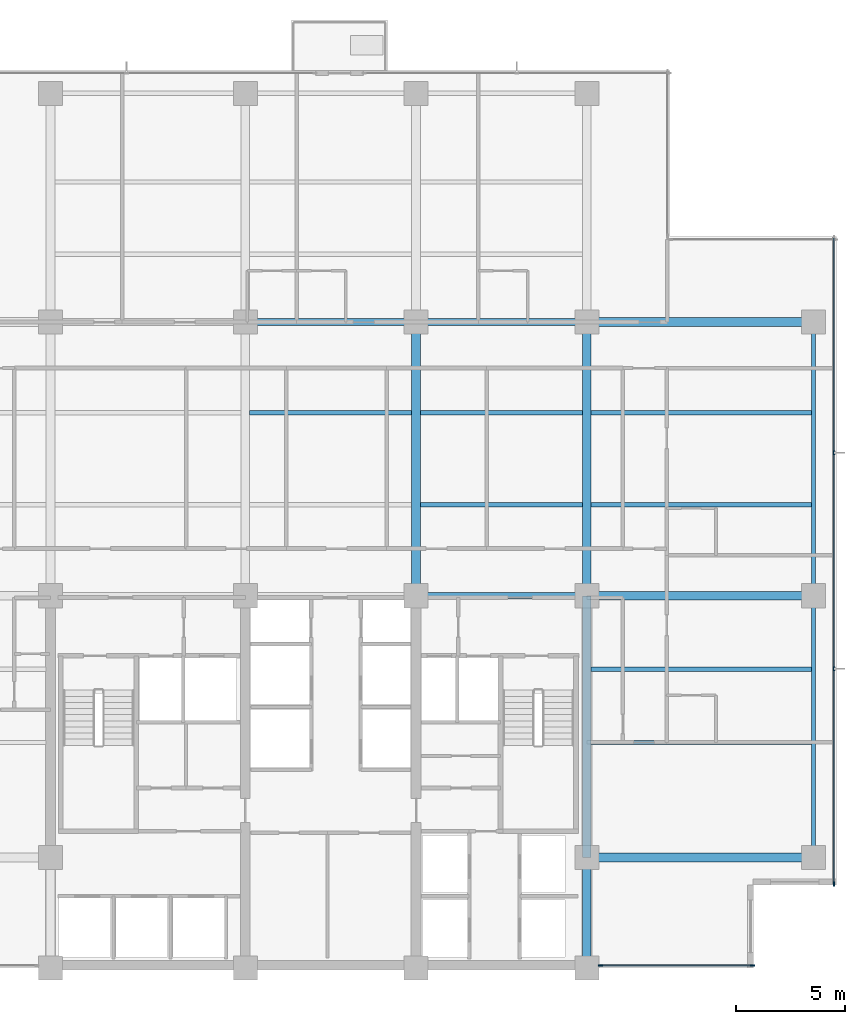
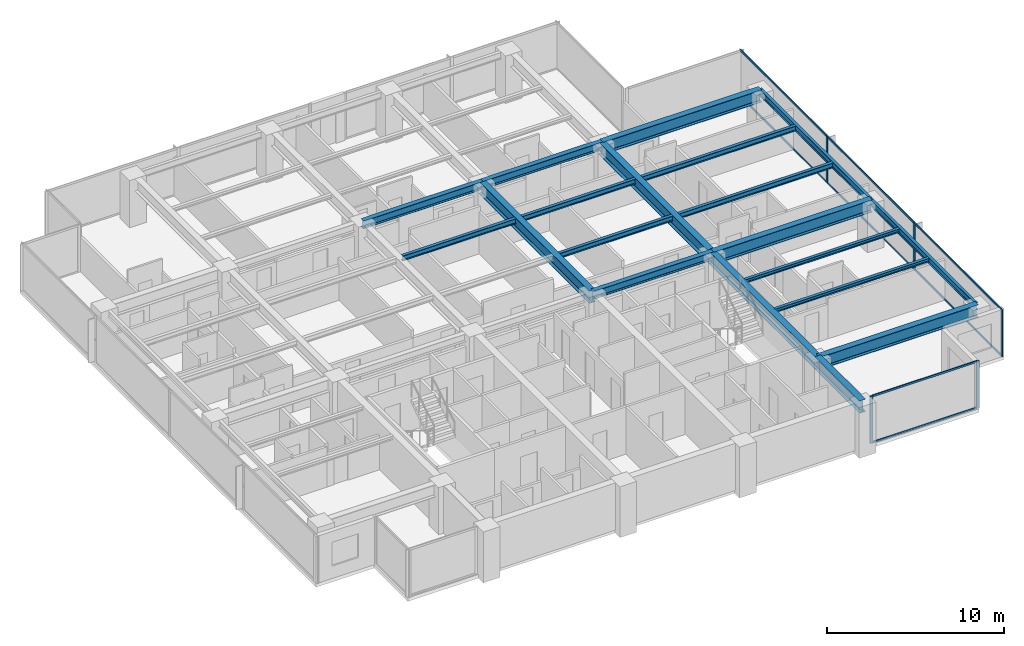
# One storey, part 3 of 16: 19 beams, 13 members, 2 elements without a shape of their own.
"""IFC4 building model written with IfcOpenShell, lengths in metres."""

from ifc_helpers import new_model, si_unit, direction, frame, origin, origin_2d, place, context, subcontext, project, spatial, rectangle, i_section, extrude, material, layer, layer_set, material_profile, profile_set, type_object, element, aggregate, save


model = new_model("IFC4")

# Units and contexts
model_context = context("Model", 3, precision=1e-05, world=origin(), true_north=direction((0.0, 1.0)))
body_context = subcontext(model_context, "Body", "Model", "MODEL_VIEW")
ifc_project = project(units=[si_unit("LENGTHUNIT", "METRE"), si_unit("AREAUNIT", "SQUARE_METRE"), si_unit("VOLUMEUNIT", "CUBIC_METRE"), si_unit("PLANEANGLEUNIT", "RADIAN"), si_unit("MASSUNIT", "GRAM", prefix="KILO")], contexts=[model_context])

# Site, building, storey
site_placement = place(None, origin())
site = spatial("IfcSite", under=ifc_project, at=site_placement, CompositionType="ELEMENT")
building_placement = place(site_placement, origin())
building = spatial("IfcBuilding", under=site, at=building_placement, Name="Qalmaran Belvedere Hotel", CompositionType="ELEMENT")
storey_placement = place(building_placement, frame((0.0, 0.0, 145.60009765625)))
storey = spatial("IfcBuildingStorey", under=building, at=storey_placement, Name="L36", CompositionType="ELEMENT", Elevation=145.60009765625)

# Beams
ifc_material_1 = material(Name="Steel S355JR", Category="steel")
ifc_material_profile_1 = material_profile(ifc_material_1, i_section(OverallWidth=0.201904296875, OverallDepth=0.2470703125, WebThickness=0.00732421875, FlangeThickness=0.010986328125, FilletRadius=0.011962890625, at=origin_2d()), Name="W250X49")
ifc_profile_set_1 = profile_set([ifc_material_profile_1], Name="Steel S355JR")
beam_type_1 = type_object("IfcBeamType", Name="BM-JST-W250X49", PredefinedType="JOIST", material=ifc_profile_set_1)
for number, where, z_axis, x_axis, name in (
    (1, (44.998046875, 13.800048828125, 3.12646484375), (1.0, 0.0, 0.0), (0.0, 1.0, 0.0), "L36 East Wing Joist 039"),
    (2, (44.998046875, 17.14990234375, 3.12646484375), (1.0, 0.0, 0.0), (0.0, 1.0, 0.0), "L36 East Wing Joist 041"),
):
    element("IfcBeam", number, at=place(storey_placement, frame(where, z_axis=z_axis, x_axis=x_axis)), inside=storey, type_object=beam_type_1, Name=name, PredefinedType="JOIST", context=body_context, shape_type="SweptSolid", body=[
        extrude(i_section(OverallWidth=0.201904296875, OverallDepth=0.2470703125, WebThickness=0.00732421875, FlangeThickness=0.010986328125, FilletRadius=0.011962890625, at=origin_2d()), origin(), (0.0, 0.0, 1.0), 10.057861328125),
    ])
ifc_material_profile_2 = material_profile(ifc_material_1, i_section(OverallWidth=0.39990234375, OverallDepth=0.85498046875, WebThickness=0.018310546875, FlangeThickness=0.029296875, FilletRadius=0.02392578125, at=origin_2d()), Name="W840X299")
ifc_profile_set_2 = profile_set([ifc_material_profile_2], Name="Steel S355JR")
beam_type_2 = type_object("IfcBeamType", Name="BM-PG3-W840X299", PredefinedType="USERDEFINED", material=ifc_profile_set_2)
for number, where, z_axis, x_axis, name in (
    (3, (37.0, 20.5, 2.822509765625), (0.0, 1.0, 0.0), (-1.0, 0.0, 0.0), "L36 Mid-Plate N-S Girder 18"),
    (4, (44.800048828125, 20.5, 2.822509765625), (0.0, 1.0, 0.0), (-1.0, 0.0, 0.0), "L36 Mid-Plate N-S Girder 20"),
):
    element("IfcBeam", number, at=place(storey_placement, frame(where, z_axis=z_axis, x_axis=x_axis)), inside=storey, type_object=beam_type_2, Name=name, ObjectType="GIRDER", PredefinedType="USERDEFINED", context=body_context, shape_type="SweptSolid", body=[
        extrude(i_section(OverallWidth=0.39990234375, OverallDepth=0.85498046875, WebThickness=0.018310546875, FlangeThickness=0.029296875, FilletRadius=0.02392578125, at=origin_2d()), origin(), (0.0, 0.0, 1.0), 12.5),
    ])
beam_1_placement = place(storey_placement, frame((44.800048828125, 3.5, 2.822509765625), z_axis=(0.0, 1.0, 0.0), x_axis=(-1.0, 0.0, 0.0)))
element("IfcBeam", 5, at=beam_1_placement, inside=storey, type_object=beam_type_2, Name="L36 East Core Edge Girder A", ObjectType="GIRDER", PredefinedType="USERDEFINED", context=body_context, shape_type="SweptSolid", body=[
    extrude(i_section(OverallWidth=0.39990234375, OverallDepth=0.85498046875, WebThickness=0.018310546875, FlangeThickness=0.029296875, FilletRadius=0.02392578125, at=origin_2d()), origin(), (0.0, 0.0, 1.0), 5.050048828125),
])
beam_2_placement = place(storey_placement, frame((44.800048828125, 8.550048828125, 2.822509765625), z_axis=(0.0, 1.0, 0.0), x_axis=(-1.0, 0.0, 0.0)))
element("IfcBeam", 6, at=beam_2_placement, inside=storey, type_object=beam_type_2, Name="L36 East Core Edge Girder B", ObjectType="GIRDER", PredefinedType="USERDEFINED", context=body_context, shape_type="SweptSolid", body=[
    extrude(i_section(OverallWidth=0.39990234375, OverallDepth=0.85498046875, WebThickness=0.018310546875, FlangeThickness=0.029296875, FilletRadius=0.02392578125, at=origin_2d()), origin(), (0.0, 0.0, 1.0), 11.949951171875),
])
for number, where, z_axis, x_axis, name in (
    (7, (44.800048828125, 8.550048828125, 2.822509765625), (1.0, 0.0, 0.0), (0.0, 1.0, 0.0), "L36 East Wing Girder 25"),
    (8, (44.800048828125, 20.5, 2.822509765625), (1.0, 0.0, 0.0), (0.0, 1.0, 0.0), "L36 East Wing Girder 26"),
    (9, (44.800048828125, 33.0, 2.822509765625), (1.0, 0.0, 0.0), (0.0, 1.0, 0.0), "L36 East Wing Girder 27"),
):
    element("IfcBeam", number, at=place(storey_placement, frame(where, z_axis=z_axis, x_axis=x_axis)), inside=storey, type_object=beam_type_2, Name=name, ObjectType="GIRDER", PredefinedType="USERDEFINED", context=body_context, shape_type="SweptSolid", body=[
        extrude(i_section(OverallWidth=0.39990234375, OverallDepth=0.85498046875, WebThickness=0.018310546875, FlangeThickness=0.029296875, FilletRadius=0.02392578125, at=origin_2d()), origin(), (0.0, 0.0, 1.0), 10.349853515625),
    ])
ifc_material_profile_3 = material_profile(ifc_material_1, i_section(OverallWidth=0.205078125, OverallDepth=0.35400390625, WebThickness=0.009521484375, FlangeThickness=0.016845703125, FilletRadius=0.014892578125, at=origin_2d()), Name="W360X79")
ifc_profile_set_3 = profile_set([ifc_material_profile_3], Name="Steel S355JR")
beam_type_3 = type_object("IfcBeamType", Name="BM-SB3-W360X79", PredefinedType="BEAM", material=ifc_profile_set_3)
beam_3_placement = place(storey_placement, frame((37.197998046875, 24.64990234375, 3.072998046875), z_axis=(1.0, 0.0, 0.0), x_axis=(0.0, 1.0, 0.0)))
element("IfcBeam", 10, at=beam_3_placement, inside=storey, type_object=beam_type_3, Name="L36 Secondary Floor Beam 031", PredefinedType="BEAM", context=body_context, shape_type="SweptSolid", body=[
    extrude(i_section(OverallWidth=0.205078125, OverallDepth=0.35400390625, WebThickness=0.009521484375, FlangeThickness=0.016845703125, FilletRadius=0.014892578125, at=origin_2d()), origin(), (0.0, 0.0, 1.0), 7.404052734375),
])
beam_4_placement = place(storey_placement, frame((44.998046875, 24.64990234375, 3.072998046875), z_axis=(1.0, 0.0, 0.0), x_axis=(0.0, 1.0, 0.0)))
element("IfcBeam", 11, at=beam_4_placement, inside=storey, type_object=beam_type_3, Name="L36 East Secondary Beam 032", PredefinedType="BEAM", context=body_context, shape_type="SweptSolid", body=[
    extrude(i_section(OverallWidth=0.205078125, OverallDepth=0.35400390625, WebThickness=0.009521484375, FlangeThickness=0.016845703125, FilletRadius=0.014892578125, at=origin_2d()), origin(), (0.0, 0.0, 1.0), 10.057861328125),
])
for number, where, z_axis, x_axis, name in (
    (12, (29.39794921875, 28.85009765625, 3.072998046875), (1.0, 0.0, 0.0), (0.0, 1.0, 0.0), "L36 Secondary Floor Beam 035"),
    (13, (37.197998046875, 28.85009765625, 3.072998046875), (1.0, 0.0, 0.0), (0.0, 1.0, 0.0), "L36 Secondary Floor Beam 036"),
):
    element("IfcBeam", number, at=place(storey_placement, frame(where, z_axis=z_axis, x_axis=x_axis)), inside=storey, type_object=beam_type_3, Name=name, PredefinedType="BEAM", context=body_context, shape_type="SweptSolid", body=[
        extrude(i_section(OverallWidth=0.205078125, OverallDepth=0.35400390625, WebThickness=0.009521484375, FlangeThickness=0.016845703125, FilletRadius=0.014892578125, at=origin_2d()), origin(), (0.0, 0.0, 1.0), 7.404052734375),
    ])
beam_5_placement = place(storey_placement, frame((44.998046875, 28.85009765625, 3.072998046875), z_axis=(1.0, 0.0, 0.0), x_axis=(0.0, 1.0, 0.0)))
element("IfcBeam", 14, at=beam_5_placement, inside=storey, type_object=beam_type_3, Name="L36 East Secondary Beam 037", PredefinedType="BEAM", context=body_context, shape_type="SweptSolid", body=[
    extrude(i_section(OverallWidth=0.205078125, OverallDepth=0.35400390625, WebThickness=0.009521484375, FlangeThickness=0.016845703125, FilletRadius=0.014892578125, at=origin_2d()), origin(), (0.0, 0.0, 1.0), 10.057861328125),
])
ifc_material_profile_4 = material_profile(ifc_material_1, i_section(OverallWidth=0.19189453125, OverallDepth=0.462890625, WebThickness=0.010498046875, FlangeThickness=0.017578125, FilletRadius=0.01611328125, at=origin_2d()), Name="W460X89")
ifc_profile_set_4 = profile_set([ifc_material_profile_4], Name="Steel S355JR")
beam_type_4 = type_object("IfcBeamType", Name="BM-SP2-W460X89", PredefinedType="SPANDREL", material=ifc_profile_set_4)
beam_6_placement = place(storey_placement, frame((55.14990234375, 8.550048828125, 3.018310546875), z_axis=(0.0, 1.0, 0.0), x_axis=(-1.0, 0.0, 0.0)))
element("IfcBeam", 15, at=beam_6_placement, inside=storey, type_object=beam_type_4, Name="L36 Perimeter Spandrel 03", PredefinedType="SPANDREL", context=body_context, shape_type="SweptSolid", body=[
    extrude(i_section(OverallWidth=0.19189453125, OverallDepth=0.462890625, WebThickness=0.010498046875, FlangeThickness=0.017578125, FilletRadius=0.01611328125, at=origin_2d()), origin(), (0.0, 0.0, 1.0), 11.949951171875),
])
beam_7_placement = place(storey_placement, frame((55.14990234375, 20.5, 3.018310546875), z_axis=(0.0, 1.0, 0.0), x_axis=(-1.0, 0.0, 0.0)))
element("IfcBeam", 16, at=beam_7_placement, inside=storey, type_object=beam_type_4, Name="L36 Perimeter Spandrel 04", PredefinedType="SPANDREL", context=body_context, shape_type="SweptSolid", body=[
    extrude(i_section(OverallWidth=0.19189453125, OverallDepth=0.462890625, WebThickness=0.010498046875, FlangeThickness=0.017578125, FilletRadius=0.01611328125, at=origin_2d()), origin(), (0.0, 0.0, 1.0), 12.5),
])
ifc_material_profile_5 = material_profile(ifc_material_1, i_section(OverallWidth=0.31201171875, OverallDepth=0.54296875, WebThickness=0.0126953125, FlangeThickness=0.020263671875, FilletRadius=0.01806640625, at=origin_2d()), Name="W530X150")
ifc_profile_set_5 = profile_set([ifc_material_profile_5], Name="Steel S355JR")
beam_type_5 = type_object("IfcBeamType", Name="BM-Z3-W530X150", PredefinedType="USERDEFINED", material=ifc_profile_set_5)
for number, where, z_axis, x_axis, name in (
    (17, (37.0, 20.5, 2.978515625), (1.0, 0.0, 0.0), (0.0, 1.0, 0.0), "L36 Interior E-W Girder 10"),
    (18, (29.199951171875, 33.0, 2.978515625), (1.0, 0.0, 0.0), (0.0, 1.0, 0.0), "L36 Interior E-W Girder 12"),
    (19, (37.0, 33.0, 2.978515625), (1.0, 0.0, 0.0), (0.0, 1.0, 0.0), "L36 Interior E-W Girder 13"),
):
    element("IfcBeam", number, at=place(storey_placement, frame(where, z_axis=z_axis, x_axis=x_axis)), inside=storey, type_object=beam_type_5, Name=name, ObjectType="GIRDER", PredefinedType="USERDEFINED", context=body_context, shape_type="SweptSolid", body=[
        extrude(i_section(OverallWidth=0.31201171875, OverallDepth=0.54296875, WebThickness=0.0126953125, FlangeThickness=0.020263671875, FilletRadius=0.01806640625, at=origin_2d()), origin(), (0.0, 0.0, 1.0), 7.800048828125),
    ])

# Curtain wall, members
ifc_material_2 = material(Name="Anodised Bronze Aluminium", Category="aluminium")
ifc_layer = layer(ifc_material_2, 0.195068359375, Name="Anodised Bronze Aluminium")
ifc_layer_set = layer_set([ifc_layer], Name="Anodised Bronze Aluminium")
curtain_wall_type = type_object("IfcCurtainWallType", Name="CW4-TOWER-HIGHMID", PredefinedType="NOTDEFINED", material=ifc_layer_set)
curtain_wall_1_placement = place(storey_placement, origin())
curtain_wall_1 = element("IfcCurtainWall", 20, at=curtain_wall_1_placement, inside=storey, type_object=curtain_wall_type, Name="L36 Curtain Wall CW4", PredefinedType="NOTDEFINED")
ifc_material_profile_6 = material_profile(ifc_material_2, rectangle(XDim=0.070068359375, YDim=0.18994140625, at=origin_2d()), Name="CWM70X190")
ifc_profile_set_6 = profile_set([ifc_material_profile_6], Name="Anodised Bronze Aluminium")
member_type_1 = type_object("IfcMemberType", Name="CWM-70X190", PredefinedType="MULLION", material=ifc_profile_set_6)
member_1_placement = place(storey_placement, frame((45.425048828125, 3.6201171875, 0.0), z_axis=(0.0, 0.0, 1.0), x_axis=(0.0, 1.0, 0.0)))
member_1 = element("IfcMember", 21, at=member_1_placement, type_object=member_type_1, Name="CW4 mullion 1", PredefinedType="MULLION", context=body_context, shape_type="SweptSolid", body=[
    extrude(rectangle(XDim=0.070068359375, YDim=0.18994140625, at=origin_2d()), origin(), (0.0, 0.0, 1.0), 3.25),
])
member_2_placement = place(storey_placement, frame((52.364990234375, 3.6201171875, 0.0), z_axis=(0.0, 0.0, 1.0), x_axis=(0.0, 1.0, 0.0)))
member_2 = element("IfcMember", 22, at=member_2_placement, type_object=member_type_1, Name="CW4 mullion 2", PredefinedType="MULLION", context=body_context, shape_type="SweptSolid", body=[
    extrude(rectangle(XDim=0.070068359375, YDim=0.18994140625, at=origin_2d()), origin(), (0.0, 0.0, 1.0), 3.25),
])

curtain_wall_2_placement = place(storey_placement, origin())
curtain_wall_2 = element("IfcCurtainWall", 23, at=curtain_wall_2_placement, inside=storey, type_object=curtain_wall_type, Name="L36 Curtain Wall CW4", PredefinedType="NOTDEFINED")
member_3_placement = place(storey_placement, frame((56.080078125, 7.3349609375, 0.0), z_axis=(0.0, 0.0, 1.0), x_axis=(-1.0, 0.0, 0.0)))
member_3 = element("IfcMember", 24, at=member_3_placement, type_object=member_type_1, Name="CW4 mullion 1", PredefinedType="MULLION", context=body_context, shape_type="SweptSolid", body=[
    extrude(rectangle(XDim=0.070068359375, YDim=0.18994140625, at=origin_2d()), origin(), (0.0, 0.0, 1.0), 3.25),
])
member_4_placement = place(storey_placement, frame((56.080078125, 17.166748046875, 0.0), z_axis=(0.0, 0.0, 1.0), x_axis=(-1.0, 0.0, 0.0)))
member_4 = element("IfcMember", 25, at=member_4_placement, type_object=member_type_1, Name="CW4 mullion 2", PredefinedType="MULLION", context=body_context, shape_type="SweptSolid", body=[
    extrude(rectangle(XDim=0.070068359375, YDim=0.18994140625, at=origin_2d()), origin(), (0.0, 0.0, 1.0), 3.25),
])
member_5_placement = place(storey_placement, frame((56.080078125, 27.033447265625, 0.0), z_axis=(0.0, 0.0, 1.0), x_axis=(-1.0, 0.0, 0.0)))
member_5 = element("IfcMember", 26, at=member_5_placement, type_object=member_type_1, Name="CW4 mullion 3", PredefinedType="MULLION", context=body_context, shape_type="SweptSolid", body=[
    extrude(rectangle(XDim=0.070068359375, YDim=0.18994140625, at=origin_2d()), origin(), (0.0, 0.0, 1.0), 3.25),
])

# Member
ifc_material_profile_7 = material_profile(ifc_material_2, rectangle(XDim=0.06494140625, YDim=0.1298828125, at=origin_2d()), Name="CWT65X130")
ifc_profile_set_7 = profile_set([ifc_material_profile_7], Name="Anodised Bronze Aluminium")
member_type_2 = type_object("IfcMemberType", Name="CWT-65X130", PredefinedType="USERDEFINED", material=ifc_profile_set_7)
member_6_placement = place(storey_placement, frame((45.4599609375, 3.6201171875, 0.032470703125), z_axis=(1.0, 0.0, 0.0), x_axis=(0.0, 1.0, 0.0)))
member_6 = element("IfcMember", 27, at=member_6_placement, type_object=member_type_2, Name="CW4 transom 1.1", ObjectType="TRANSOM", PredefinedType="USERDEFINED", context=body_context, shape_type="SweptSolid", body=[
    extrude(rectangle(XDim=0.06494140625, YDim=0.1298828125, at=origin_2d()), origin(), (0.0, 0.0, 1.0), 6.8701171875),
])

member_7_placement = place(storey_placement, frame((45.4599609375, 3.6201171875, 3.21728515625), z_axis=(1.0, 0.0, 0.0), x_axis=(0.0, 1.0, 0.0)))
member_7 = element("IfcMember", 28, at=member_7_placement, type_object=member_type_2, Name="CW4 transom 1.2", ObjectType="TRANSOM", PredefinedType="USERDEFINED", context=body_context, shape_type="SweptSolid", body=[
    extrude(rectangle(XDim=0.06494140625, YDim=0.1298828125, at=origin_2d()), origin(), (0.0, 0.0, 1.0), 6.8701171875),
])

aggregate(curtain_wall_1, [member_1, member_2, member_6, member_7])

member_8_placement = place(storey_placement, frame((56.080078125, 7.3701171875, 0.032470703125), z_axis=(0.0, 1.0, 0.0), x_axis=(-1.0, 0.0, 0.0)))
member_8 = element("IfcMember", 29, at=member_8_placement, type_object=member_type_2, Name="CW4 transom 1.1", ObjectType="TRANSOM", PredefinedType="USERDEFINED", context=body_context, shape_type="SweptSolid", body=[
    extrude(rectangle(XDim=0.06494140625, YDim=0.1298828125, at=origin_2d()), origin(), (0.0, 0.0, 1.0), 9.761474609375),
])

member_9_placement = place(storey_placement, frame((56.080078125, 7.3701171875, 3.21728515625), z_axis=(0.0, 1.0, 0.0), x_axis=(-1.0, 0.0, 0.0)))
member_9 = element("IfcMember", 30, at=member_9_placement, type_object=member_type_2, Name="CW4 transom 1.2", ObjectType="TRANSOM", PredefinedType="USERDEFINED", context=body_context, shape_type="SweptSolid", body=[
    extrude(rectangle(XDim=0.06494140625, YDim=0.1298828125, at=origin_2d()), origin(), (0.0, 0.0, 1.0), 9.761474609375),
])

member_10_placement = place(storey_placement, frame((56.080078125, 17.20166015625, 0.032470703125), z_axis=(0.0, 1.0, 0.0), x_axis=(-1.0, 0.0, 0.0)))
member_10 = element("IfcMember", 31, at=member_10_placement, type_object=member_type_2, Name="CW4 transom 2.1", ObjectType="TRANSOM", PredefinedType="USERDEFINED", context=body_context, shape_type="SweptSolid", body=[
    extrude(rectangle(XDim=0.06494140625, YDim=0.1298828125, at=origin_2d()), origin(), (0.0, 0.0, 1.0), 9.796630859375),
])

member_11_placement = place(storey_placement, frame((56.080078125, 17.20166015625, 3.21728515625), z_axis=(0.0, 1.0, 0.0), x_axis=(-1.0, 0.0, 0.0)))
member_11 = element("IfcMember", 32, at=member_11_placement, type_object=member_type_2, Name="CW4 transom 2.2", ObjectType="TRANSOM", PredefinedType="USERDEFINED", context=body_context, shape_type="SweptSolid", body=[
    extrude(rectangle(XDim=0.06494140625, YDim=0.1298828125, at=origin_2d()), origin(), (0.0, 0.0, 1.0), 9.796630859375),
])

member_12_placement = place(storey_placement, frame((56.080078125, 27.068359375, 0.032470703125), z_axis=(0.0, 1.0, 0.0), x_axis=(-1.0, 0.0, 0.0)))
member_12 = element("IfcMember", 33, at=member_12_placement, type_object=member_type_2, Name="CW4 transom 3.1", ObjectType="TRANSOM", PredefinedType="USERDEFINED", context=body_context, shape_type="SweptSolid", body=[
    extrude(rectangle(XDim=0.06494140625, YDim=0.1298828125, at=origin_2d()), origin(), (0.0, 0.0, 1.0), 9.76171875),
])

member_13_placement = place(storey_placement, frame((56.080078125, 27.068359375, 3.21728515625), z_axis=(0.0, 1.0, 0.0), x_axis=(-1.0, 0.0, 0.0)))
member_13 = element("IfcMember", 34, at=member_13_placement, type_object=member_type_2, Name="CW4 transom 3.2", ObjectType="TRANSOM", PredefinedType="USERDEFINED", context=body_context, shape_type="SweptSolid", body=[
    extrude(rectangle(XDim=0.06494140625, YDim=0.1298828125, at=origin_2d()), origin(), (0.0, 0.0, 1.0), 9.76171875),
])

aggregate(curtain_wall_2, [member_3, member_4, member_5, member_8, member_9, member_10, member_11, member_12, member_13])

save(model, "model.ifc")
